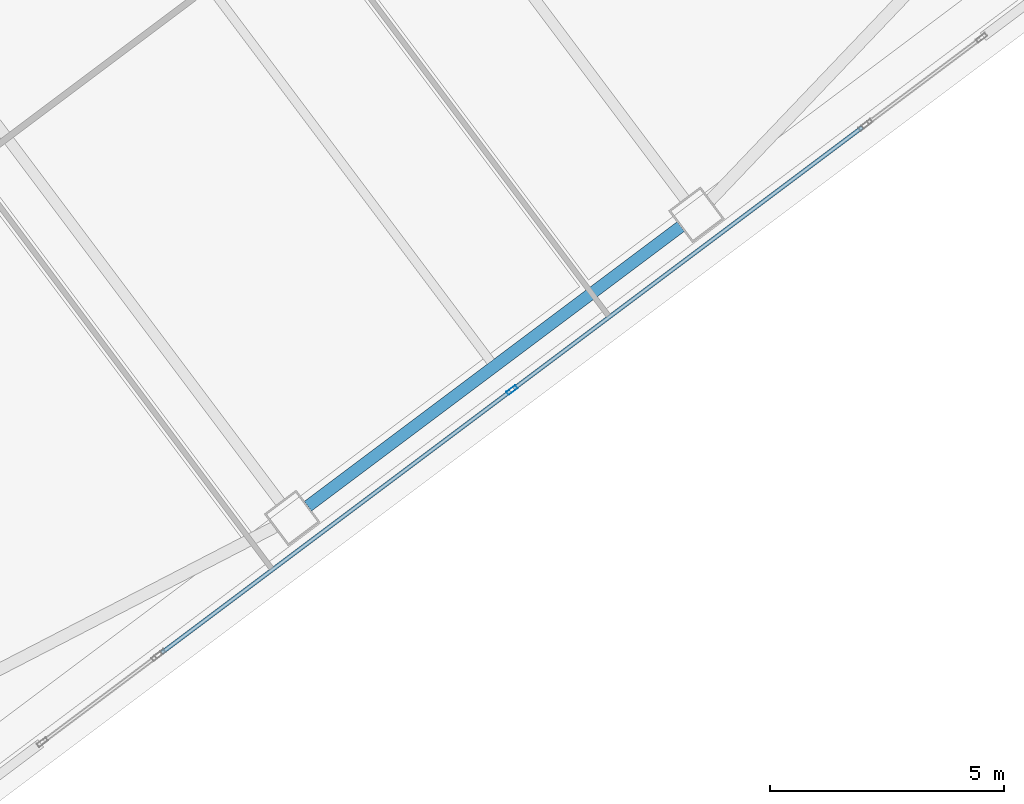
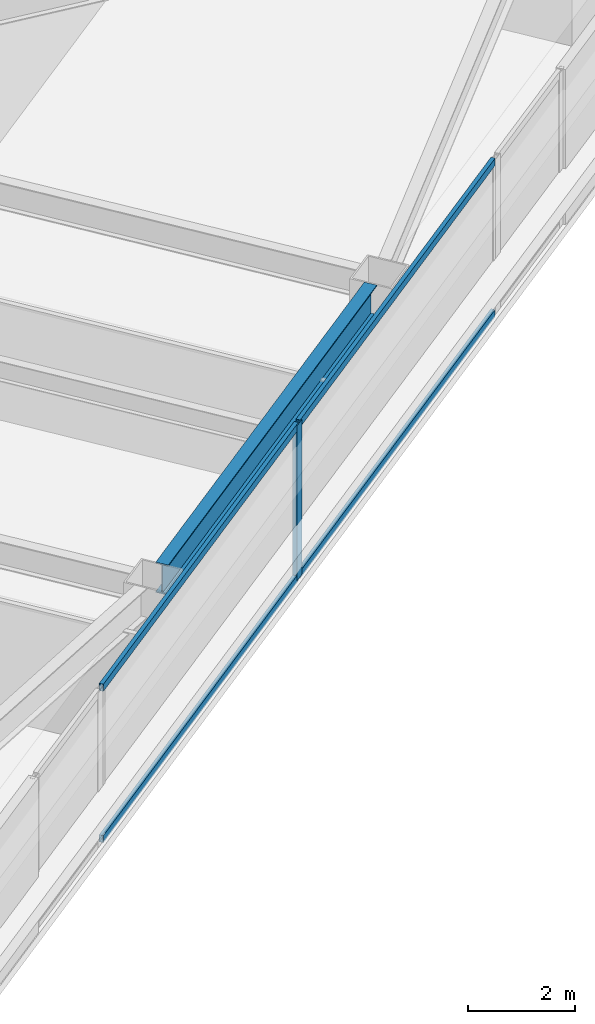
# One storey, part 24 of 46: 5 members, 1 beam, 1 element without a shape of its own.
"""IFC4 building model written with IfcOpenShell, lengths in metres."""

from ifc_helpers import new_model, si_unit, direction, frame, origin, origin_2d, place, context, subcontext, project, spatial, hollow_rectangle, i_section, extrude, material, material_profile, profile_set, type_object, element, aggregate, save


model = new_model("IFC4")

# Units and contexts
model_context = context("Model", 3, precision=1e-05, world=origin(), true_north=direction((0.0, 1.0)))
body_context = subcontext(model_context, "Body", "Model", "MODEL_VIEW")
ifc_project = project(units=[si_unit("LENGTHUNIT", "METRE"), si_unit("AREAUNIT", "SQUARE_METRE"), si_unit("VOLUMEUNIT", "CUBIC_METRE"), si_unit("PLANEANGLEUNIT", "RADIAN"), si_unit("MASSUNIT", "GRAM", prefix="KILO")], contexts=[model_context])

# Site, building, storey
site_placement = place(None, origin())
site = spatial("IfcSite", under=ifc_project, at=site_placement, CompositionType="ELEMENT")
building_placement = place(site_placement, origin())
building = spatial("IfcBuilding", under=site, at=building_placement, Name="Tashvorn Skyway Center", CompositionType="ELEMENT")
storey_placement = place(building_placement, frame((0.0, 0.0, 60.10009765625)))
storey = spatial("IfcBuildingStorey", under=building, at=storey_placement, Name="L15", CompositionType="ELEMENT", Elevation=60.10009765625)

# Beam
ifc_material_1 = material(Name="Steel ASTM A992 Grade 50", Category="steel")
ifc_material_profile_1 = material_profile(ifc_material_1, i_section(OverallWidth=0.256103515625, OverallDepth=0.693115234375, WebThickness=0.014404296875, FlangeThickness=0.023681640625, at=origin_2d()), Name="W27X114")
ifc_profile_set_1 = profile_set([ifc_material_profile_1], Name="Steel ASTM A992 Grade 50")
beam_type = type_object("IfcBeamType", Name="BM-SPANDREL-W27X114", PredefinedType="SPANDREL", material=ifc_profile_set_1)
beam_placement = place(storey_placement, frame((122.64599609375, 12.172119140625, 3.00341796875), z_axis=(0.800008824351, 0.599988234018, 0.0), x_axis=(-0.599988234018, 0.800008824351, 0.0)))
element("IfcBeam", 1, at=beam_placement, inside=storey, type_object=beam_type, Name="Tower 2 L15 Spandrel Beam 02", PredefinedType="SPANDREL", context=body_context, shape_type="SweptSolid", body=[
    extrude(i_section(OverallWidth=0.256103515625, OverallDepth=0.693115234375, WebThickness=0.014404296875, FlangeThickness=0.023681640625, at=origin_2d()), origin(), (0.0, 0.0, 1.0), 9.9599609375),
])

# Curtain wall, members
ifc_material_2 = material(Name="Thermally broken bronze-anodized aluminium 6063-T6", Category="aluminium")
curtain_wall_type = type_object("IfcCurtainWallType", Name="CW-CW-Z1", PredefinedType="NOTDEFINED", material=ifc_material_2)
curtain_wall_placement = place(storey_placement, origin())
curtain_wall = element("IfcCurtainWall", 2, at=curtain_wall_placement, inside=storey, type_object=curtain_wall_type, Name="Tower 2 L15 South Unitised Curtain Wall Glazing Group 2", PredefinedType="NOTDEFINED")
ifc_material_profile_2 = material_profile(ifc_material_2, hollow_rectangle(XDim=0.0849609375, YDim=0.239990234375, WallThickness=0.0048828125, at=origin_2d()), Name="ALU-MULL-85x240")
ifc_profile_set_2 = profile_set([ifc_material_profile_2], Name="Thermally broken bronze-anodized aluminium 6063-T6")
member_type_1 = type_object("IfcMemberType", Name="CWM-CW-Z1", PredefinedType="MULLION", material=ifc_profile_set_2)
member_1_placement = place(storey_placement, frame((127.008056640625, 14.656005859375, 0.0), z_axis=(0.0, 0.0, 1.0), x_axis=(0.600000000002, -0.799999999998, 0.0)))
member_1 = element("IfcMember", 3, at=member_1_placement, type_object=member_type_1, Name="CW-Z1 mullion 2", PredefinedType="MULLION", context=body_context, shape_type="SweptSolid", body=[
    extrude(hollow_rectangle(XDim=0.0849609375, YDim=0.239990234375, WallThickness=0.0048828125, at=origin_2d()), origin(), (0.0, 0.0, 1.0), 3.5498046875),
])
ifc_material_profile_3 = material_profile(ifc_material_2, hollow_rectangle(XDim=0.0849609375, YDim=0.1650390625, WallThickness=0.0048828125, at=origin_2d()), Name="ALU-TRAN-85x165")
ifc_profile_set_3 = profile_set([ifc_material_profile_3], Name="Thermally broken bronze-anodized aluminium 6063-T6")
member_type_2 = type_object("IfcMemberType", Name="CWT-CW-Z1", PredefinedType="USERDEFINED", material=ifc_profile_set_3)
member_2_placement = place(storey_placement, frame((134.491943359375, 20.26904296875, 0.04248046875), z_axis=(-0.799990562031, -0.600012583752, 0.0), x_axis=(0.600012583752, -0.799990562031, 0.0)))
member_2 = element("IfcMember", 4, at=member_2_placement, type_object=member_type_2, Name="CW-Z1 transom 1.1", ObjectType="TRANSOM", PredefinedType="USERDEFINED", context=body_context, shape_type="SweptSolid", body=[
    extrude(hollow_rectangle(XDim=0.0849609375, YDim=0.1650390625, WallThickness=0.0048828125, at=origin_2d()), origin(), (0.0, 0.0, 1.0), 9.3125),
])
member_3_placement = place(storey_placement, frame((134.491943359375, 20.26904296875, 3.50732421875), z_axis=(-0.799990562031, -0.600012583752, 0.0), x_axis=(0.600012583752, -0.799990562031, 0.0)))
member_3 = element("IfcMember", 5, at=member_3_placement, type_object=member_type_2, Name="CW-Z1 transom 1.2", ObjectType="TRANSOM", PredefinedType="USERDEFINED", context=body_context, shape_type="SweptSolid", body=[
    extrude(hollow_rectangle(XDim=0.0849609375, YDim=0.1650390625, WallThickness=0.0048828125, at=origin_2d()), origin(), (0.0, 0.0, 1.0), 9.3125),
])
member_4_placement = place(storey_placement, frame((126.97412109375, 14.630615234375, 0.04248046875), z_axis=(-0.8, -0.6, 0.0), x_axis=(0.6, -0.8, 0.0)))
member_4 = element("IfcMember", 6, at=member_4_placement, type_object=member_type_2, Name="CW-Z1 transom 2.1", ObjectType="TRANSOM", PredefinedType="USERDEFINED", context=body_context, shape_type="SweptSolid", body=[
    extrude(hollow_rectangle(XDim=0.0849609375, YDim=0.1650390625, WallThickness=0.0048828125, at=origin_2d()), origin(), (0.0, 0.0, 1.0), 9.312744140625),
])
member_5_placement = place(storey_placement, frame((126.97412109375, 14.630615234375, 3.50732421875), z_axis=(-0.8, -0.6, 0.0), x_axis=(0.6, -0.8, 0.0)))
member_5 = element("IfcMember", 7, at=member_5_placement, type_object=member_type_2, Name="CW-Z1 transom 2.2", ObjectType="TRANSOM", PredefinedType="USERDEFINED", context=body_context, shape_type="SweptSolid", body=[
    extrude(hollow_rectangle(XDim=0.0849609375, YDim=0.1650390625, WallThickness=0.0048828125, at=origin_2d()), origin(), (0.0, 0.0, 1.0), 9.312744140625),
])
aggregate(curtain_wall, [member_1, member_2, member_3, member_4, member_5])

save(model, "model.ifc")
